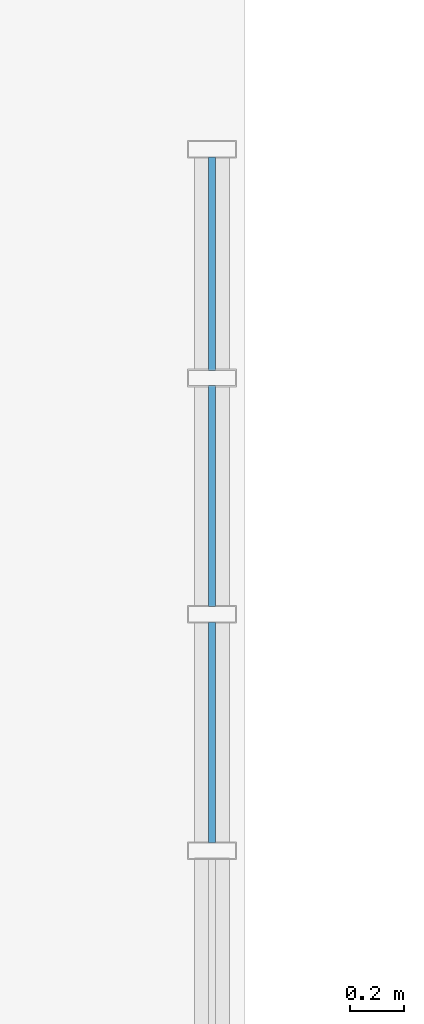
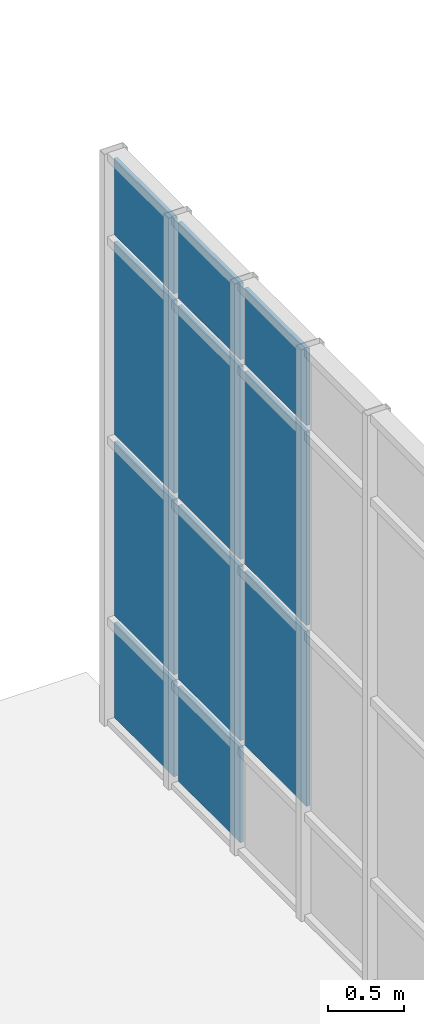
# One storey, part 157 of 189: 11 plates, 1 element without a shape of its own.
"""IFC4 building model written with IfcOpenShell, lengths in metres."""

from ifc_helpers import new_model, si_unit, direction, frame, origin, origin_2d, place, context, subcontext, project, spatial, rectangle, extrude, material, layer, layer_set, type_object, element, aggregate, save


model = new_model("IFC4")

# Units and contexts
model_context = context("Model", 3, precision=1e-05, world=origin(), true_north=direction((0.0, 1.0)))
body_context = subcontext(model_context, "Body", "Model", "MODEL_VIEW")
ifc_project = project(units=[si_unit("LENGTHUNIT", "METRE"), si_unit("AREAUNIT", "SQUARE_METRE"), si_unit("VOLUMEUNIT", "CUBIC_METRE"), si_unit("PLANEANGLEUNIT", "RADIAN"), si_unit("MASSUNIT", "GRAM", prefix="KILO"), si_unit("THERMODYNAMICTEMPERATUREUNIT", "KELVIN"), si_unit("POWERUNIT", "WATT")], contexts=[model_context])

# Site, building, storey
site_placement = place(None, origin())
site = spatial("IfcSite", under=ifc_project, at=site_placement, CompositionType="ELEMENT")
building_placement = place(site_placement, origin())
building = spatial("IfcBuilding", under=site, at=building_placement, Name="Zelmaris Science Centre", CompositionType="ELEMENT")
storey_placement = place(building_placement, origin())
storey = spatial("IfcBuildingStorey", under=building, at=storey_placement, Name="L00", CompositionType="ELEMENT", Elevation=0.0)

# Curtain wall, plates
ifc_material_1 = material(Name="Anodised architectural aluminium 6063-T6", Category="aluminium")
ifc_layer_1 = layer(ifc_material_1, 0.2099609375, Name="Anodised architectural aluminium 6063-T6")
ifc_layer_set_1 = layer_set([ifc_layer_1], Name="Anodised architectural aluminium 6063-T6")
curtain_wall_type = type_object("IfcCurtainWallType", Name="Curtain Wall CW-03", PredefinedType="USERDEFINED", material=ifc_layer_set_1)
curtain_wall_placement = place(storey_placement, origin())
curtain_wall = element("IfcCurtainWall", 1, at=curtain_wall_placement, inside=storey, type_object=curtain_wall_type, Name="L00 Unitised curtain wall 91", ObjectType="GLAZED CURTAIN WALL", PredefinedType="USERDEFINED")
ifc_material_2 = material(Name="Laminated hurricane-rated low-E insulated glazing", Category="glass")
ifc_layer_2 = layer(ifc_material_2, 0.02587890625, Name="Laminated hurricane-rated low-E insulated glazing")
ifc_layer_set_2 = layer_set([ifc_layer_2], Name="Laminated hurricane-rated low-E insulated glazing")
plate_type = type_object("IfcPlateType", Name="Curtain Glazing Panel CWP-3 26mm", PredefinedType="CURTAIN_PANEL", material=ifc_layer_set_2)
plate_1_placement = place(storey_placement, frame((115.8798828125, 65.008544921875, 0.0419921875), z_axis=(0.0, 0.0, 1.0), x_axis=(2.2883815e-05, -0.999999999738, 0.0)))
plate_1 = element("IfcPlate", 2, at=plate_1_placement, type_object=plate_type, Name="CW-03 panel 1.1", PredefinedType="CURTAIN_PANEL", context=body_context, shape_type="SweptSolid", body=[
    extrude(rectangle(XDim=0.78857421875, YDim=0.02587890625, at=origin_2d()), origin(), (0.0, 0.0, 1.0), 0.764404296875),
])
plate_2_placement = place(storey_placement, frame((115.8798828125, 65.008544921875, 0.863525390625), z_axis=(0.0, 0.0, 1.0), x_axis=(2.2883815e-05, -0.999999999738, 0.0)))
plate_2 = element("IfcPlate", 3, at=plate_2_placement, type_object=plate_type, Name="CW-03 panel 1.2", PredefinedType="CURTAIN_PANEL", context=body_context, shape_type="SweptSolid", body=[
    extrude(rectangle(XDim=0.78857421875, YDim=0.02587890625, at=origin_2d()), origin(), (0.0, 0.0, 1.0), 1.400390625),
])
plate_3_placement = place(storey_placement, frame((115.8798828125, 65.008544921875, 2.32080078125), z_axis=(0.0, 0.0, 1.0), x_axis=(2.2883815e-05, -0.999999999738, 0.0)))
plate_3 = element("IfcPlate", 4, at=plate_3_placement, type_object=plate_type, Name="CW-03 panel 1.3", PredefinedType="CURTAIN_PANEL", context=body_context, shape_type="SweptSolid", body=[
    extrude(rectangle(XDim=0.78857421875, YDim=0.02587890625, at=origin_2d()), origin(), (0.0, 0.0, 1.0), 1.550537109375),
])
plate_4_placement = place(storey_placement, frame((115.8798828125, 65.008544921875, 3.9287109375), z_axis=(0.0, 0.0, 1.0), x_axis=(2.2883815e-05, -0.999999999738, 0.0)))
plate_4 = element("IfcPlate", 5, at=plate_4_placement, type_object=plate_type, Name="CW-03 panel 1.4", PredefinedType="CURTAIN_PANEL", context=body_context, shape_type="SweptSolid", body=[
    extrude(rectangle(XDim=0.78857421875, YDim=0.02587890625, at=origin_2d()), origin(), (0.0, 0.0, 1.0), 0.614501953125),
])
plate_5_placement = place(storey_placement, frame((115.8798828125, 64.14892578125, 0.0419921875), z_axis=(0.0, 0.0, 1.0), x_axis=(2.2883815e-05, -0.999999999738, 0.0)))
plate_5 = element("IfcPlate", 6, at=plate_5_placement, type_object=plate_type, Name="CW-03 panel 2.1", PredefinedType="CURTAIN_PANEL", context=body_context, shape_type="SweptSolid", body=[
    extrude(rectangle(XDim=0.81689453125, YDim=0.02587890625, at=origin_2d()), origin(), (0.0, 0.0, 1.0), 0.764404296875),
])
plate_6_placement = place(storey_placement, frame((115.8798828125, 64.14892578125, 0.863525390625), z_axis=(0.0, 0.0, 1.0), x_axis=(2.2883815e-05, -0.999999999738, 0.0)))
plate_6 = element("IfcPlate", 7, at=plate_6_placement, type_object=plate_type, Name="CW-03 panel 2.2", PredefinedType="CURTAIN_PANEL", context=body_context, shape_type="SweptSolid", body=[
    extrude(rectangle(XDim=0.81689453125, YDim=0.02587890625, at=origin_2d()), origin(), (0.0, 0.0, 1.0), 1.400390625),
])
plate_7_placement = place(storey_placement, frame((115.8798828125, 64.14892578125, 2.32080078125), z_axis=(0.0, 0.0, 1.0), x_axis=(2.2883815e-05, -0.999999999738, 0.0)))
plate_7 = element("IfcPlate", 8, at=plate_7_placement, type_object=plate_type, Name="CW-03 panel 2.3", PredefinedType="CURTAIN_PANEL", context=body_context, shape_type="SweptSolid", body=[
    extrude(rectangle(XDim=0.81689453125, YDim=0.02587890625, at=origin_2d()), origin(), (0.0, 0.0, 1.0), 1.550537109375),
])
plate_8_placement = place(storey_placement, frame((115.8798828125, 64.14892578125, 3.9287109375), z_axis=(0.0, 0.0, 1.0), x_axis=(2.2883815e-05, -0.999999999738, 0.0)))
plate_8 = element("IfcPlate", 9, at=plate_8_placement, type_object=plate_type, Name="CW-03 panel 2.4", PredefinedType="CURTAIN_PANEL", context=body_context, shape_type="SweptSolid", body=[
    extrude(rectangle(XDim=0.81689453125, YDim=0.02587890625, at=origin_2d()), origin(), (0.0, 0.0, 1.0), 0.614501953125),
])
plate_9_placement = place(storey_placement, frame((115.8798828125, 63.27490234375, 0.863525390625), z_axis=(0.0, 0.0, 1.0), x_axis=(2.2883815e-05, -0.999999999738, 0.0)))
plate_9 = element("IfcPlate", 10, at=plate_9_placement, type_object=plate_type, Name="CW-03 panel 3.2", PredefinedType="CURTAIN_PANEL", context=body_context, shape_type="SweptSolid", body=[
    extrude(rectangle(XDim=0.81689453125, YDim=0.02587890625, at=origin_2d()), origin(), (0.0, 0.0, 1.0), 1.400390625),
])
plate_10_placement = place(storey_placement, frame((115.8798828125, 63.27490234375, 2.32080078125), z_axis=(0.0, 0.0, 1.0), x_axis=(2.2883815e-05, -0.999999999738, 0.0)))
plate_10 = element("IfcPlate", 11, at=plate_10_placement, type_object=plate_type, Name="CW-03 panel 3.3", PredefinedType="CURTAIN_PANEL", context=body_context, shape_type="SweptSolid", body=[
    extrude(rectangle(XDim=0.81689453125, YDim=0.02587890625, at=origin_2d()), origin(), (0.0, 0.0, 1.0), 1.550537109375),
])
plate_11_placement = place(storey_placement, frame((115.8798828125, 63.27490234375, 3.9287109375), z_axis=(0.0, 0.0, 1.0), x_axis=(2.2883815e-05, -0.999999999738, 0.0)))
plate_11 = element("IfcPlate", 12, at=plate_11_placement, type_object=plate_type, Name="CW-03 panel 3.4", PredefinedType="CURTAIN_PANEL", context=body_context, shape_type="SweptSolid", body=[
    extrude(rectangle(XDim=0.81689453125, YDim=0.02587890625, at=origin_2d()), origin(), (0.0, 0.0, 1.0), 0.614501953125),
])
aggregate(curtain_wall, [plate_1, plate_2, plate_3, plate_4, plate_5, plate_6, plate_7, plate_8, plate_9, plate_10, plate_11])

save(model, "model.ifc")
